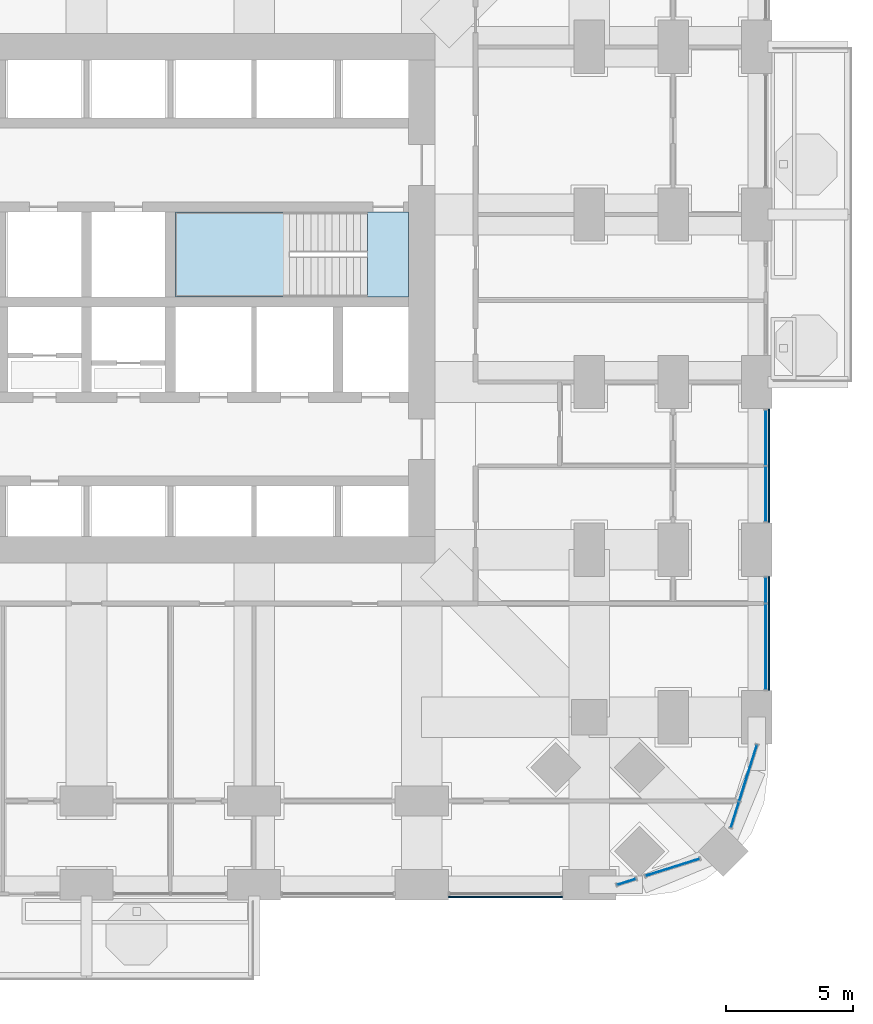
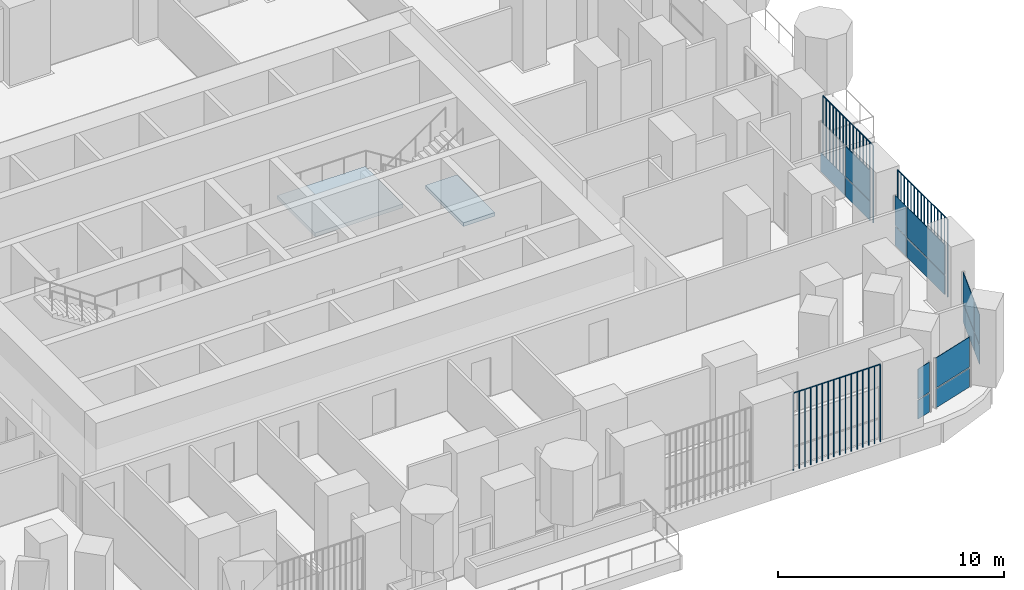
# One storey, part 13 of 26: 18 plates, 2 slabs, 6 elements without a shape of their own.
"""IFC4 building model written with IfcOpenShell, lengths in metres."""

from ifc_helpers import new_model, si_unit, direction, frame, origin, origin_2d, place, context, subcontext, project, spatial, polyline, rectangle, outline, extrude, material, layer, layer_set, type_object, element, aggregate, save


model = new_model("IFC4")

# Units and contexts
model_context = context("Model", 3, precision=1e-05, world=origin(), true_north=direction((0.0, 1.0)))
body_context = subcontext(model_context, "Body", "Model", "MODEL_VIEW")
ifc_project = project(units=[si_unit("LENGTHUNIT", "METRE"), si_unit("AREAUNIT", "SQUARE_METRE"), si_unit("VOLUMEUNIT", "CUBIC_METRE"), si_unit("PLANEANGLEUNIT", "RADIAN"), si_unit("MASSUNIT", "GRAM", prefix="KILO")], contexts=[model_context])

# Site, building, storey
site_placement = place(None, origin())
site = spatial("IfcSite", under=ifc_project, at=site_placement, CompositionType="ELEMENT")
building_placement = place(site_placement, origin())
building = spatial("IfcBuilding", under=site, at=building_placement, Name="Cobogo Forest Laboratory Tower", CompositionType="ELEMENT")
storey_placement = place(building_placement, frame((0.0, 0.0, 59.10009765625)))
storey = spatial("IfcBuildingStorey", under=building, at=storey_placement, Name="L13", CompositionType="ELEMENT", Elevation=59.10009765625)

# Curtain wall, plates
ifc_material_1 = material(Name="Aluminium curtain wall", Category="aluminium")
curtain_wall_type = type_object("IfcCurtainWallType", Name="CW-1 unitised curtain wall, clear glazing, laboratory floors zones A and B", PredefinedType="USERDEFINED", material=ifc_material_1)
curtain_wall_1_placement = place(storey_placement, origin())
curtain_wall_1 = element("IfcCurtainWall", 1, at=curtain_wall_1_placement, inside=storey, type_object=curtain_wall_type, Name="Curtain wall 07 L13", ObjectType="UNITISED CURTAIN WALL", PredefinedType="USERDEFINED")
ifc_material_2 = material(Name="Clear insulated glass", Category="glass")
ifc_layer_1 = layer(ifc_material_2, 0.028076171875)
ifc_layer_set_1 = layer_set([ifc_layer_1], Name="GP-1 clear insulated glass unit 28")
plate_type_1 = type_object("IfcPlateType", Name="GP-1 clear insulated glass unit 28", PredefinedType="CURTAIN_PANEL", material=ifc_layer_set_1)
plate_1_placement = place(storey_placement, frame((47.666015625, 0.113037109375, 0.0), z_axis=(0.0, 0.0, 1.0), x_axis=(0.953581504428, 0.301135043481, 0.0)))
plate_1 = element("IfcPlate", 2, at=plate_1_placement, type_object=plate_type_1, Name="CW-1 panel 1.1", PredefinedType="CURTAIN_PANEL", context=body_context, shape_type="SweptSolid", body=[
    extrude(rectangle(XDim=0.75244140625, YDim=0.028076171875, at=origin_2d()), origin(), (0.0, 0.0, 1.0), 1.02001953125),
])
plate_2_placement = place(storey_placement, frame((47.666015625, 0.113037109375, 1.079833984375), z_axis=(0.0, 0.0, 1.0), x_axis=(0.953581504428, 0.301135043481, 0.0)))
plate_2 = element("IfcPlate", 3, at=plate_2_placement, type_object=plate_type_1, Name="CW-1 panel 1.2", PredefinedType="CURTAIN_PANEL", context=body_context, shape_type="SweptSolid", body=[
    extrude(rectangle(XDim=0.75244140625, YDim=0.028076171875, at=origin_2d()), origin(), (0.0, 0.0, 1.0), 1.6201171875),
])
aggregate(curtain_wall_1, [plate_1, plate_2])

curtain_wall_2_placement = place(storey_placement, origin())
curtain_wall_2 = element("IfcCurtainWall", 4, at=curtain_wall_2_placement, inside=storey, type_object=curtain_wall_type, Name="Curtain wall 08 L13", ObjectType="UNITISED CURTAIN WALL", PredefinedType="USERDEFINED")
plate_3_placement = place(storey_placement, frame((49.482177734375, 0.6865234375, 0.0), z_axis=(0.0, 0.0, 1.0), x_axis=(0.953581409645, 0.301135343623, 0.0)))
plate_3 = element("IfcPlate", 5, at=plate_3_placement, type_object=plate_type_1, Name="CW-1 panel 1.1", PredefinedType="CURTAIN_PANEL", context=body_context, shape_type="SweptSolid", body=[
    extrude(rectangle(XDim=2.203369140625, YDim=0.028076171875, at=origin_2d()), origin(), (0.0, 0.0, 1.0), 1.02001953125),
])
plate_4_placement = place(storey_placement, frame((49.482177734375, 0.6865234375, 1.079833984375), z_axis=(0.0, 0.0, 1.0), x_axis=(0.953581409645, 0.301135343623, 0.0)))
plate_4 = element("IfcPlate", 6, at=plate_4_placement, type_object=plate_type_1, Name="CW-1 panel 1.2", PredefinedType="CURTAIN_PANEL", context=body_context, shape_type="SweptSolid", body=[
    extrude(rectangle(XDim=2.203369140625, YDim=0.028076171875, at=origin_2d()), origin(), (0.0, 0.0, 1.0), 1.6201171875),
])
aggregate(curtain_wall_2, [plate_3, plate_4])

curtain_wall_3_placement = place(storey_placement, origin())
curtain_wall_3 = element("IfcCurtainWall", 7, at=curtain_wall_3_placement, inside=storey, type_object=curtain_wall_type, Name="Curtain wall 09 L13", ObjectType="UNITISED CURTAIN WALL", PredefinedType="USERDEFINED")
plate_5_placement = place(storey_placement, frame((51.9365234375, 2.75732421875, 0.0), z_axis=(0.0, 0.0, 1.0), x_axis=(0.30113535792, 0.95358140513, 0.0)))
plate_5 = element("IfcPlate", 8, at=plate_5_placement, type_object=plate_type_1, Name="CW-1 panel 1.1", PredefinedType="CURTAIN_PANEL", context=body_context, shape_type="SweptSolid", body=[
    extrude(rectangle(XDim=1.027587890625, YDim=0.028076171875, at=origin_2d()), origin(), (0.0, 0.0, 1.0), 1.02001953125),
])
plate_6_placement = place(storey_placement, frame((51.9365234375, 2.75732421875, 1.079833984375), z_axis=(0.0, 0.0, 1.0), x_axis=(0.30113535792, 0.95358140513, 0.0)))
plate_6 = element("IfcPlate", 9, at=plate_6_placement, type_object=plate_type_1, Name="CW-1 panel 1.2", PredefinedType="CURTAIN_PANEL", context=body_context, shape_type="SweptSolid", body=[
    extrude(rectangle(XDim=1.027587890625, YDim=0.028076171875, at=origin_2d()), origin(), (0.0, 0.0, 1.0), 1.6201171875),
])
plate_7_placement = place(storey_placement, frame((52.454833984375, 4.398681640625, 0.0), z_axis=(0.0, 0.0, 1.0), x_axis=(0.30113535792, 0.95358140513, 0.0)))
plate_7 = element("IfcPlate", 10, at=plate_7_placement, type_object=plate_type_1, Name="CW-1 panel 2.1", PredefinedType="CURTAIN_PANEL", context=body_context, shape_type="SweptSolid", body=[
    extrude(rectangle(XDim=2.294677734375, YDim=0.028076171875, at=origin_2d()), origin(), (0.0, 0.0, 1.0), 1.02001953125),
])
plate_8_placement = place(storey_placement, frame((52.454833984375, 4.398681640625, 1.079833984375), z_axis=(0.0, 0.0, 1.0), x_axis=(0.30113535792, 0.95358140513, 0.0)))
plate_8 = element("IfcPlate", 11, at=plate_8_placement, type_object=plate_type_1, Name="CW-1 panel 2.2", PredefinedType="CURTAIN_PANEL", context=body_context, shape_type="SweptSolid", body=[
    extrude(rectangle(XDim=2.294677734375, YDim=0.028076171875, at=origin_2d()), origin(), (0.0, 0.0, 1.0), 1.6201171875),
])
aggregate(curtain_wall_3, [plate_5, plate_6, plate_7, plate_8])

curtain_wall_4_placement = place(storey_placement, origin())
curtain_wall_4 = element("IfcCurtainWall", 12, at=curtain_wall_4_placement, inside=storey, type_object=curtain_wall_type, Name="Curtain wall 10 L13", ObjectType="UNITISED CURTAIN WALL", PredefinedType="USERDEFINED")
plate_9_placement = place(storey_placement, frame((53.14990234375, 9.37744140625, 0.0), z_axis=(0.0, 0.0, 1.0), x_axis=(0.0, 1.0, 0.0)))
plate_9 = element("IfcPlate", 13, at=plate_9_placement, type_object=plate_type_1, Name="CW-1 panel 1.1", PredefinedType="CURTAIN_PANEL", context=body_context, shape_type="SweptSolid", body=[
    extrude(rectangle(XDim=3.3349609375, YDim=0.028076171875, at=origin_2d()), origin(), (0.0, 0.0, 1.0), 1.02001953125),
])
plate_10_placement = place(storey_placement, frame((53.14990234375, 9.37744140625, 1.079833984375), z_axis=(0.0, 0.0, 1.0), x_axis=(0.0, 1.0, 0.0)))
plate_10 = element("IfcPlate", 14, at=plate_10_placement, type_object=plate_type_1, Name="CW-1 panel 1.2", PredefinedType="CURTAIN_PANEL", context=body_context, shape_type="SweptSolid", body=[
    extrude(rectangle(XDim=3.3349609375, YDim=0.028076171875, at=origin_2d()), origin(), (0.0, 0.0, 1.0), 1.6201171875),
])
plate_11_placement = place(storey_placement, frame((53.14990234375, 11.597412109375, 0.0), z_axis=(0.0, 0.0, 1.0), x_axis=(0.0, 1.0, 0.0)))
plate_11 = element("IfcPlate", 15, at=plate_11_placement, type_object=plate_type_1, Name="CW-1 panel 2.1", PredefinedType="CURTAIN_PANEL", context=body_context, shape_type="SweptSolid", body=[
    extrude(rectangle(XDim=0.985107421875, YDim=0.028076171875, at=origin_2d()), origin(), (0.0, 0.0, 1.0), 1.02001953125),
])
plate_12_placement = place(storey_placement, frame((53.14990234375, 11.597412109375, 1.079833984375), z_axis=(0.0, 0.0, 1.0), x_axis=(0.0, 1.0, 0.0)))
plate_12 = element("IfcPlate", 16, at=plate_12_placement, type_object=plate_type_1, Name="CW-1 panel 2.2", PredefinedType="CURTAIN_PANEL", context=body_context, shape_type="SweptSolid", body=[
    extrude(rectangle(XDim=0.985107421875, YDim=0.028076171875, at=origin_2d()), origin(), (0.0, 0.0, 1.0), 1.6201171875),
])
aggregate(curtain_wall_4, [plate_9, plate_10, plate_11, plate_12])

curtain_wall_5_placement = place(storey_placement, origin())
curtain_wall_5 = element("IfcCurtainWall", 17, at=curtain_wall_5_placement, inside=storey, type_object=curtain_wall_type, Name="Curtain wall 11 L13", ObjectType="UNITISED CURTAIN WALL", PredefinedType="USERDEFINED")
plate_13_placement = place(storey_placement, frame((53.14990234375, 15.389892578125, 0.0), z_axis=(0.0, 0.0, 1.0), x_axis=(0.0, 1.0, 0.0)))
plate_13 = element("IfcPlate", 18, at=plate_13_placement, type_object=plate_type_1, Name="CW-1 panel 1.1", PredefinedType="CURTAIN_PANEL", context=body_context, shape_type="SweptSolid", body=[
    extrude(rectangle(XDim=2.159912109375, YDim=0.028076171875, at=origin_2d()), origin(), (0.0, 0.0, 1.0), 1.02001953125),
])
plate_14_placement = place(storey_placement, frame((53.14990234375, 15.389892578125, 1.079833984375), z_axis=(0.0, 0.0, 1.0), x_axis=(0.0, 1.0, 0.0)))
plate_14 = element("IfcPlate", 19, at=plate_14_placement, type_object=plate_type_1, Name="CW-1 panel 1.2", PredefinedType="CURTAIN_PANEL", context=body_context, shape_type="SweptSolid", body=[
    extrude(rectangle(XDim=2.159912109375, YDim=0.028076171875, at=origin_2d()), origin(), (0.0, 0.0, 1.0), 1.6201171875),
])
plate_15_placement = place(storey_placement, frame((53.14990234375, 17.610107421875, 0.0), z_axis=(0.0, 0.0, 1.0), x_axis=(0.0, 1.0, 0.0)))
plate_15 = element("IfcPlate", 20, at=plate_15_placement, type_object=plate_type_1, Name="CW-1 panel 2.1", PredefinedType="CURTAIN_PANEL", context=body_context, shape_type="SweptSolid", body=[
    extrude(rectangle(XDim=2.159912109375, YDim=0.028076171875, at=origin_2d()), origin(), (0.0, 0.0, 1.0), 1.02001953125),
])
aggregate(curtain_wall_5, [plate_13, plate_14, plate_15])

# Stair, slabs
ifc_material_3 = material(Name="Precast concrete HA-40 (C40/50)", Category="concrete")
stair_type = type_object("IfcStairType", Name="ST24 exit stair 24 risers", PredefinedType="HALF_TURN_STAIR", material=ifc_material_3)
stair_placement = place(storey_placement, origin())
stair = element("IfcStair", 21, at=stair_placement, inside=storey, type_object=stair_type, Name="Stair 2 L13 to L14", PredefinedType="HALF_TURN_STAIR")
ifc_material_4 = material(Name="Concrete HA-40 (C40/50)", Category="concrete")
ifc_layer_2 = layer(ifc_material_4, 0.199951171875)
ifc_layer_set_2 = layer_set([ifc_layer_2], Name="SL stair landing 200")
slab_type = type_object("IfcSlabType", Name="SL stair landing 200", PredefinedType="LANDING", material=ifc_layer_set_2)
slab_1_placement = place(storey_placement, frame((0.0, 0.0, -0.2001953125)))
slab_1 = element("IfcSlab", 22, at=slab_1_placement, type_object=slab_type, Name="ST2 landing 1", PredefinedType="LANDING", context=body_context, shape_type="SweptSolid", body=[
    extrude(outline(polyline([(37.472900390625, 23.14990234375), (39.074951171875, 23.14990234375), (39.074951171875, 26.5), (37.472900390625, 26.5), (37.472900390625, 23.14990234375)])), origin(), (0.0, 0.0, 1.0), 0.2001953125),
])
slab_2_placement = place(storey_placement, frame((0.0, 0.0, 1.89990234375)))
slab_2 = element("IfcSlab", 23, at=slab_2_placement, type_object=slab_type, Name="ST2 landing 2", PredefinedType="LANDING", context=body_context, shape_type="SweptSolid", body=[
    extrude(outline(polyline([(29.89990234375, 23.14990234375), (34.39697265625, 23.14990234375), (34.39697265625, 26.5), (29.89990234375, 26.5), (29.89990234375, 23.14990234375)])), origin(), (0.0, 0.0, 1.0), 0.199951171875),
])
aggregate(stair, [slab_1, slab_2])

# Plates
ifc_material_5 = material(Name="Terracotta", Category="masonry")
plate_type_2 = type_object("IfcPlateType", Name="TB1 terracotta baguette screen", PredefinedType="USERDEFINED", material=ifc_material_5)
plate_16_placement = place(storey_placement, frame((40.68115234375, -0.477783203125, -0.150146484375)))
element("IfcPlate", 24, at=plate_16_placement, inside=storey, type_object=plate_type_2, Name="Baguette screen S6 L13", ObjectType="BAGUETTE SCREEN", PredefinedType="USERDEFINED", context=body_context, shape_type="SweptSolid", body=[
    extrude(outline(polyline([(0.02880859375, 0.011962890625), (0.011962890625, 0.02880859375), (-0.011962890625, 0.02880859375), (-0.02880859375, 0.011962890625), (-0.02880859375, -0.011962890625), (-0.011962890625, -0.02880859375), (0.011962890625, -0.02880859375), (0.02880859375, -0.011962890625), (0.02880859375, 0.011962890625)])), frame((0.0, 0.0, 4.168701171875), z_axis=(1.0, 0.0, 0.0), x_axis=(0.0, 1.0, 0.0)), (0.0, 0.0, 1.0), 4.4375),
    extrude(outline(polyline([(0.02880859375, 0.011962890625), (0.011962890625, 0.02880859375), (-0.011962890625, 0.02880859375), (-0.02880859375, 0.011962890625), (-0.02880859375, -0.011962890625), (-0.011962890625, -0.02880859375), (0.011962890625, -0.02880859375), (0.02880859375, -0.011962890625), (0.02880859375, 0.011962890625)])), origin(), (0.0, 0.0, 1.0), 4.137451171875),
    extrude(outline(polyline([(0.02880859375, 0.011962890625), (0.011962890625, 0.02880859375), (-0.011962890625, 0.02880859375), (-0.02880859375, 0.011962890625), (-0.02880859375, -0.011962890625), (-0.011962890625, -0.02880859375), (0.011962890625, -0.02880859375), (0.02880859375, -0.011962890625), (0.02880859375, 0.011962890625)])), frame((0.2958984375, 0.0, 0.0)), (0.0, 0.0, 1.0), 4.137451171875),
    extrude(outline(polyline([(0.02880859375, 0.011962890625), (0.011962890625, 0.02880859375), (-0.011962890625, 0.02880859375), (-0.02880859375, 0.011962890625), (-0.02880859375, -0.011962890625), (-0.011962890625, -0.02880859375), (0.011962890625, -0.02880859375), (0.02880859375, -0.011962890625), (0.02880859375, 0.011962890625)])), frame((0.591552734375, 0.0, 0.0)), (0.0, 0.0, 1.0), 4.137451171875),
    extrude(outline(polyline([(0.02880859375, 0.011962890625), (0.011962890625, 0.02880859375), (-0.011962890625, 0.02880859375), (-0.02880859375, 0.011962890625), (-0.02880859375, -0.011962890625), (-0.011962890625, -0.02880859375), (0.011962890625, -0.02880859375), (0.02880859375, -0.011962890625), (0.02880859375, 0.011962890625)])), frame((0.887451171875, 0.0, 0.0)), (0.0, 0.0, 1.0), 4.137451171875),
    extrude(outline(polyline([(0.02880859375, 0.011962890625), (0.011962890625, 0.02880859375), (-0.011962890625, 0.02880859375), (-0.02880859375, 0.011962890625), (-0.02880859375, -0.011962890625), (-0.011962890625, -0.02880859375), (0.011962890625, -0.02880859375), (0.02880859375, -0.011962890625), (0.02880859375, 0.011962890625)])), frame((1.183349609375, 0.0, 0.0)), (0.0, 0.0, 1.0), 4.137451171875),
    extrude(outline(polyline([(0.02880859375, 0.011962890625), (0.011962890625, 0.02880859375), (-0.011962890625, 0.02880859375), (-0.02880859375, 0.011962890625), (-0.02880859375, -0.011962890625), (-0.011962890625, -0.02880859375), (0.011962890625, -0.02880859375), (0.02880859375, -0.011962890625), (0.02880859375, 0.011962890625)])), frame((1.479248046875, 0.0, 0.0)), (0.0, 0.0, 1.0), 4.137451171875),
    extrude(outline(polyline([(0.02880859375, 0.011962890625), (0.011962890625, 0.02880859375), (-0.011962890625, 0.02880859375), (-0.02880859375, 0.011962890625), (-0.02880859375, -0.011962890625), (-0.011962890625, -0.02880859375), (0.011962890625, -0.02880859375), (0.02880859375, -0.011962890625), (0.02880859375, 0.011962890625)])), frame((1.77490234375, 0.0, 0.0)), (0.0, 0.0, 1.0), 4.137451171875),
    extrude(outline(polyline([(0.02880859375, 0.011962890625), (0.011962890625, 0.02880859375), (-0.011962890625, 0.02880859375), (-0.02880859375, 0.011962890625), (-0.02880859375, -0.011962890625), (-0.011962890625, -0.02880859375), (0.011962890625, -0.02880859375), (0.02880859375, -0.011962890625), (0.02880859375, 0.011962890625)])), frame((2.07080078125, 0.0, 0.0)), (0.0, 0.0, 1.0), 4.137451171875),
    extrude(outline(polyline([(0.02880859375, 0.011962890625), (0.011962890625, 0.02880859375), (-0.011962890625, 0.02880859375), (-0.02880859375, 0.011962890625), (-0.02880859375, -0.011962890625), (-0.011962890625, -0.02880859375), (0.011962890625, -0.02880859375), (0.02880859375, -0.011962890625), (0.02880859375, 0.011962890625)])), frame((2.36669921875, 0.0, 0.0)), (0.0, 0.0, 1.0), 4.137451171875),
    extrude(outline(polyline([(0.02880859375, 0.011962890625), (0.011962890625, 0.02880859375), (-0.011962890625, 0.02880859375), (-0.02880859375, 0.011962890625), (-0.02880859375, -0.011962890625), (-0.011962890625, -0.02880859375), (0.011962890625, -0.02880859375), (0.02880859375, -0.011962890625), (0.02880859375, 0.011962890625)])), frame((2.66259765625, 0.0, 0.0)), (0.0, 0.0, 1.0), 4.137451171875),
    extrude(outline(polyline([(0.02880859375, 0.011962890625), (0.011962890625, 0.02880859375), (-0.011962890625, 0.02880859375), (-0.02880859375, 0.011962890625), (-0.02880859375, -0.011962890625), (-0.011962890625, -0.02880859375), (0.011962890625, -0.02880859375), (0.02880859375, -0.011962890625), (0.02880859375, 0.011962890625)])), frame((2.958251953125, 0.0, 0.0)), (0.0, 0.0, 1.0), 4.137451171875),
    extrude(outline(polyline([(0.02880859375, 0.011962890625), (0.011962890625, 0.02880859375), (-0.011962890625, 0.02880859375), (-0.02880859375, 0.011962890625), (-0.02880859375, -0.011962890625), (-0.011962890625, -0.02880859375), (0.011962890625, -0.02880859375), (0.02880859375, -0.011962890625), (0.02880859375, 0.011962890625)])), frame((3.254150390625, 0.0, 0.0)), (0.0, 0.0, 1.0), 4.137451171875),
    extrude(outline(polyline([(0.02880859375, 0.011962890625), (0.011962890625, 0.02880859375), (-0.011962890625, 0.02880859375), (-0.02880859375, 0.011962890625), (-0.02880859375, -0.011962890625), (-0.011962890625, -0.02880859375), (0.011962890625, -0.02880859375), (0.02880859375, -0.011962890625), (0.02880859375, 0.011962890625)])), frame((3.550048828125, 0.0, 0.0)), (0.0, 0.0, 1.0), 4.137451171875),
    extrude(outline(polyline([(0.02880859375, 0.011962890625), (0.011962890625, 0.02880859375), (-0.011962890625, 0.02880859375), (-0.02880859375, 0.011962890625), (-0.02880859375, -0.011962890625), (-0.011962890625, -0.02880859375), (0.011962890625, -0.02880859375), (0.02880859375, -0.011962890625), (0.02880859375, 0.011962890625)])), frame((3.845947265625, 0.0, 0.0)), (0.0, 0.0, 1.0), 4.137451171875),
    extrude(outline(polyline([(0.02880859375, 0.011962890625), (0.011962890625, 0.02880859375), (-0.011962890625, 0.02880859375), (-0.02880859375, 0.011962890625), (-0.02880859375, -0.011962890625), (-0.011962890625, -0.02880859375), (0.011962890625, -0.02880859375), (0.02880859375, -0.011962890625), (0.02880859375, 0.011962890625)])), frame((4.1416015625, 0.0, 0.0)), (0.0, 0.0, 1.0), 4.137451171875),
    extrude(outline(polyline([(0.02880859375, 0.011962890625), (0.011962890625, 0.02880859375), (-0.011962890625, 0.02880859375), (-0.02880859375, 0.011962890625), (-0.02880859375, -0.011962890625), (-0.011962890625, -0.02880859375), (0.011962890625, -0.02880859375), (0.02880859375, -0.011962890625), (0.02880859375, 0.011962890625)])), frame((4.4375, 0.0, 0.0)), (0.0, 0.0, 1.0), 4.137451171875),
])
plate_17_placement = place(storey_placement, frame((53.27783203125, 7.68115234375, -0.150146484375)))
element("IfcPlate", 25, at=plate_17_placement, inside=storey, type_object=plate_type_2, Name="Baguette screen E1 L13", ObjectType="BAGUETTE SCREEN", PredefinedType="USERDEFINED", context=body_context, shape_type="SweptSolid", body=[
    extrude(outline(polyline([(0.02880859375, 0.011962890625), (0.011962890625, 0.02880859375), (-0.011962890625, 0.02880859375), (-0.02880859375, 0.011962890625), (-0.02880859375, -0.011962890625), (-0.011962890625, -0.02880859375), (0.011962890625, -0.02880859375), (0.02880859375, -0.011962890625), (0.02880859375, 0.011962890625)])), frame((0.0, 0.0, 4.168701171875), z_axis=(0.0, 1.0, 0.0), x_axis=(-1.0, 0.0, 0.0)), (0.0, 0.0, 1.0), 4.4375),
    extrude(outline(polyline([(0.02880859375, 0.011962890625), (0.011962890625, 0.02880859375), (-0.011962890625, 0.02880859375), (-0.02880859375, 0.011962890625), (-0.02880859375, -0.011962890625), (-0.011962890625, -0.02880859375), (0.011962890625, -0.02880859375), (0.02880859375, -0.011962890625), (0.02880859375, 0.011962890625)])), origin(), (0.0, 0.0, 1.0), 4.137451171875),
    extrude(outline(polyline([(0.02880859375, 0.011962890625), (0.011962890625, 0.02880859375), (-0.011962890625, 0.02880859375), (-0.02880859375, 0.011962890625), (-0.02880859375, -0.011962890625), (-0.011962890625, -0.02880859375), (0.011962890625, -0.02880859375), (0.02880859375, -0.011962890625), (0.02880859375, 0.011962890625)])), frame((0.0, 0.2958984375, 0.0)), (0.0, 0.0, 1.0), 4.137451171875),
    extrude(outline(polyline([(0.02880859375, 0.011962890625), (0.011962890625, 0.02880859375), (-0.011962890625, 0.02880859375), (-0.02880859375, 0.011962890625), (-0.02880859375, -0.011962890625), (-0.011962890625, -0.02880859375), (0.011962890625, -0.02880859375), (0.02880859375, -0.011962890625), (0.02880859375, 0.011962890625)])), frame((0.0, 0.591552734375, 0.0)), (0.0, 0.0, 1.0), 4.137451171875),
    extrude(outline(polyline([(0.02880859375, 0.011962890625), (0.011962890625, 0.02880859375), (-0.011962890625, 0.02880859375), (-0.02880859375, 0.011962890625), (-0.02880859375, -0.011962890625), (-0.011962890625, -0.02880859375), (0.011962890625, -0.02880859375), (0.02880859375, -0.011962890625), (0.02880859375, 0.011962890625)])), frame((0.0, 0.887451171875, 0.0)), (0.0, 0.0, 1.0), 4.137451171875),
    extrude(outline(polyline([(0.02880859375, 0.011962890625), (0.011962890625, 0.02880859375), (-0.011962890625, 0.02880859375), (-0.02880859375, 0.011962890625), (-0.02880859375, -0.011962890625), (-0.011962890625, -0.02880859375), (0.011962890625, -0.02880859375), (0.02880859375, -0.011962890625), (0.02880859375, 0.011962890625)])), frame((0.0, 1.183349609375, 0.0)), (0.0, 0.0, 1.0), 4.137451171875),
    extrude(outline(polyline([(0.02880859375, 0.011962890625), (0.011962890625, 0.02880859375), (-0.011962890625, 0.02880859375), (-0.02880859375, 0.011962890625), (-0.02880859375, -0.011962890625), (-0.011962890625, -0.02880859375), (0.011962890625, -0.02880859375), (0.02880859375, -0.011962890625), (0.02880859375, 0.011962890625)])), frame((0.0, 1.479248046875, 0.0)), (0.0, 0.0, 1.0), 4.137451171875),
    extrude(outline(polyline([(0.02880859375, 0.011962890625), (0.011962890625, 0.02880859375), (-0.011962890625, 0.02880859375), (-0.02880859375, 0.011962890625), (-0.02880859375, -0.011962890625), (-0.011962890625, -0.02880859375), (0.011962890625, -0.02880859375), (0.02880859375, -0.011962890625), (0.02880859375, 0.011962890625)])), frame((0.0, 1.77490234375, 0.0)), (0.0, 0.0, 1.0), 4.137451171875),
    extrude(outline(polyline([(0.02880859375, 0.011962890625), (0.011962890625, 0.02880859375), (-0.011962890625, 0.02880859375), (-0.02880859375, 0.011962890625), (-0.02880859375, -0.011962890625), (-0.011962890625, -0.02880859375), (0.011962890625, -0.02880859375), (0.02880859375, -0.011962890625), (0.02880859375, 0.011962890625)])), frame((0.0, 2.07080078125, 0.0)), (0.0, 0.0, 1.0), 4.137451171875),
    extrude(outline(polyline([(0.02880859375, 0.011962890625), (0.011962890625, 0.02880859375), (-0.011962890625, 0.02880859375), (-0.02880859375, 0.011962890625), (-0.02880859375, -0.011962890625), (-0.011962890625, -0.02880859375), (0.011962890625, -0.02880859375), (0.02880859375, -0.011962890625), (0.02880859375, 0.011962890625)])), frame((0.0, 2.36669921875, 0.0)), (0.0, 0.0, 1.0), 4.137451171875),
    extrude(outline(polyline([(0.02880859375, 0.011962890625), (0.011962890625, 0.02880859375), (-0.011962890625, 0.02880859375), (-0.02880859375, 0.011962890625), (-0.02880859375, -0.011962890625), (-0.011962890625, -0.02880859375), (0.011962890625, -0.02880859375), (0.02880859375, -0.011962890625), (0.02880859375, 0.011962890625)])), frame((0.0, 2.66259765625, 0.0)), (0.0, 0.0, 1.0), 4.137451171875),
    extrude(outline(polyline([(0.02880859375, 0.011962890625), (0.011962890625, 0.02880859375), (-0.011962890625, 0.02880859375), (-0.02880859375, 0.011962890625), (-0.02880859375, -0.011962890625), (-0.011962890625, -0.02880859375), (0.011962890625, -0.02880859375), (0.02880859375, -0.011962890625), (0.02880859375, 0.011962890625)])), frame((0.0, 2.958251953125, 0.0)), (0.0, 0.0, 1.0), 4.137451171875),
    extrude(outline(polyline([(0.02880859375, 0.011962890625), (0.011962890625, 0.02880859375), (-0.011962890625, 0.02880859375), (-0.02880859375, 0.011962890625), (-0.02880859375, -0.011962890625), (-0.011962890625, -0.02880859375), (0.011962890625, -0.02880859375), (0.02880859375, -0.011962890625), (0.02880859375, 0.011962890625)])), frame((0.0, 3.254150390625, 0.0)), (0.0, 0.0, 1.0), 4.137451171875),
    extrude(outline(polyline([(0.02880859375, 0.011962890625), (0.011962890625, 0.02880859375), (-0.011962890625, 0.02880859375), (-0.02880859375, 0.011962890625), (-0.02880859375, -0.011962890625), (-0.011962890625, -0.02880859375), (0.011962890625, -0.02880859375), (0.02880859375, -0.011962890625), (0.02880859375, 0.011962890625)])), frame((0.0, 3.550048828125, 0.0)), (0.0, 0.0, 1.0), 4.137451171875),
    extrude(outline(polyline([(0.02880859375, 0.011962890625), (0.011962890625, 0.02880859375), (-0.011962890625, 0.02880859375), (-0.02880859375, 0.011962890625), (-0.02880859375, -0.011962890625), (-0.011962890625, -0.02880859375), (0.011962890625, -0.02880859375), (0.02880859375, -0.011962890625), (0.02880859375, 0.011962890625)])), frame((0.0, 3.845947265625, 0.0)), (0.0, 0.0, 1.0), 4.137451171875),
    extrude(outline(polyline([(0.02880859375, 0.011962890625), (0.011962890625, 0.02880859375), (-0.011962890625, 0.02880859375), (-0.02880859375, 0.011962890625), (-0.02880859375, -0.011962890625), (-0.011962890625, -0.02880859375), (0.011962890625, -0.02880859375), (0.02880859375, -0.011962890625), (0.02880859375, 0.011962890625)])), frame((0.0, 4.1416015625, 0.0)), (0.0, 0.0, 1.0), 4.137451171875),
    extrude(outline(polyline([(0.02880859375, 0.011962890625), (0.011962890625, 0.02880859375), (-0.011962890625, 0.02880859375), (-0.02880859375, 0.011962890625), (-0.02880859375, -0.011962890625), (-0.011962890625, -0.02880859375), (0.011962890625, -0.02880859375), (0.02880859375, -0.011962890625), (0.02880859375, 0.011962890625)])), frame((0.0, 4.4375, 0.0)), (0.0, 0.0, 1.0), 4.137451171875),
])
plate_18_placement = place(storey_placement, frame((53.27783203125, 14.28125, -0.150146484375)))
element("IfcPlate", 26, at=plate_18_placement, inside=storey, type_object=plate_type_2, Name="Baguette screen E2 L13", ObjectType="BAGUETTE SCREEN", PredefinedType="USERDEFINED", context=body_context, shape_type="SweptSolid", body=[
    extrude(outline(polyline([(0.02880859375, 0.011962890625), (0.011962890625, 0.02880859375), (-0.011962890625, 0.02880859375), (-0.02880859375, 0.011962890625), (-0.02880859375, -0.011962890625), (-0.011962890625, -0.02880859375), (0.011962890625, -0.02880859375), (0.02880859375, -0.011962890625), (0.02880859375, 0.011962890625)])), frame((0.0, 0.0, 4.168701171875), z_axis=(0.0, 1.0, 0.0), x_axis=(-1.0, 0.0, 0.0)), (0.0, 0.0, 1.0), 4.4375),
    extrude(outline(polyline([(0.02880859375, 0.011962890625), (0.011962890625, 0.02880859375), (-0.011962890625, 0.02880859375), (-0.02880859375, 0.011962890625), (-0.02880859375, -0.011962890625), (-0.011962890625, -0.02880859375), (0.011962890625, -0.02880859375), (0.02880859375, -0.011962890625), (0.02880859375, 0.011962890625)])), origin(), (0.0, 0.0, 1.0), 4.137451171875),
    extrude(outline(polyline([(0.02880859375, 0.011962890625), (0.011962890625, 0.02880859375), (-0.011962890625, 0.02880859375), (-0.02880859375, 0.011962890625), (-0.02880859375, -0.011962890625), (-0.011962890625, -0.02880859375), (0.011962890625, -0.02880859375), (0.02880859375, -0.011962890625), (0.02880859375, 0.011962890625)])), frame((0.0, 0.2958984375, 0.0)), (0.0, 0.0, 1.0), 4.137451171875),
    extrude(outline(polyline([(0.02880859375, 0.011962890625), (0.011962890625, 0.02880859375), (-0.011962890625, 0.02880859375), (-0.02880859375, 0.011962890625), (-0.02880859375, -0.011962890625), (-0.011962890625, -0.02880859375), (0.011962890625, -0.02880859375), (0.02880859375, -0.011962890625), (0.02880859375, 0.011962890625)])), frame((0.0, 0.591552734375, 0.0)), (0.0, 0.0, 1.0), 4.137451171875),
    extrude(outline(polyline([(0.02880859375, 0.011962890625), (0.011962890625, 0.02880859375), (-0.011962890625, 0.02880859375), (-0.02880859375, 0.011962890625), (-0.02880859375, -0.011962890625), (-0.011962890625, -0.02880859375), (0.011962890625, -0.02880859375), (0.02880859375, -0.011962890625), (0.02880859375, 0.011962890625)])), frame((0.0, 0.887451171875, 0.0)), (0.0, 0.0, 1.0), 4.137451171875),
    extrude(outline(polyline([(0.02880859375, 0.011962890625), (0.011962890625, 0.02880859375), (-0.011962890625, 0.02880859375), (-0.02880859375, 0.011962890625), (-0.02880859375, -0.011962890625), (-0.011962890625, -0.02880859375), (0.011962890625, -0.02880859375), (0.02880859375, -0.011962890625), (0.02880859375, 0.011962890625)])), frame((0.0, 1.183349609375, 0.0)), (0.0, 0.0, 1.0), 4.137451171875),
    extrude(outline(polyline([(0.02880859375, 0.011962890625), (0.011962890625, 0.02880859375), (-0.011962890625, 0.02880859375), (-0.02880859375, 0.011962890625), (-0.02880859375, -0.011962890625), (-0.011962890625, -0.02880859375), (0.011962890625, -0.02880859375), (0.02880859375, -0.011962890625), (0.02880859375, 0.011962890625)])), frame((0.0, 1.479248046875, 0.0)), (0.0, 0.0, 1.0), 4.137451171875),
    extrude(outline(polyline([(0.02880859375, 0.011962890625), (0.011962890625, 0.02880859375), (-0.011962890625, 0.02880859375), (-0.02880859375, 0.011962890625), (-0.02880859375, -0.011962890625), (-0.011962890625, -0.02880859375), (0.011962890625, -0.02880859375), (0.02880859375, -0.011962890625), (0.02880859375, 0.011962890625)])), frame((0.0, 1.77490234375, 0.0)), (0.0, 0.0, 1.0), 4.137451171875),
    extrude(outline(polyline([(0.02880859375, 0.011962890625), (0.011962890625, 0.02880859375), (-0.011962890625, 0.02880859375), (-0.02880859375, 0.011962890625), (-0.02880859375, -0.011962890625), (-0.011962890625, -0.02880859375), (0.011962890625, -0.02880859375), (0.02880859375, -0.011962890625), (0.02880859375, 0.011962890625)])), frame((0.0, 2.07080078125, 0.0)), (0.0, 0.0, 1.0), 4.137451171875),
    extrude(outline(polyline([(0.02880859375, 0.011962890625), (0.011962890625, 0.02880859375), (-0.011962890625, 0.02880859375), (-0.02880859375, 0.011962890625), (-0.02880859375, -0.011962890625), (-0.011962890625, -0.02880859375), (0.011962890625, -0.02880859375), (0.02880859375, -0.011962890625), (0.02880859375, 0.011962890625)])), frame((0.0, 2.36669921875, 0.0)), (0.0, 0.0, 1.0), 4.137451171875),
    extrude(outline(polyline([(0.02880859375, 0.011962890625), (0.011962890625, 0.02880859375), (-0.011962890625, 0.02880859375), (-0.02880859375, 0.011962890625), (-0.02880859375, -0.011962890625), (-0.011962890625, -0.02880859375), (0.011962890625, -0.02880859375), (0.02880859375, -0.011962890625), (0.02880859375, 0.011962890625)])), frame((0.0, 2.66259765625, 0.0)), (0.0, 0.0, 1.0), 4.137451171875),
    extrude(outline(polyline([(0.02880859375, 0.011962890625), (0.011962890625, 0.02880859375), (-0.011962890625, 0.02880859375), (-0.02880859375, 0.011962890625), (-0.02880859375, -0.011962890625), (-0.011962890625, -0.02880859375), (0.011962890625, -0.02880859375), (0.02880859375, -0.011962890625), (0.02880859375, 0.011962890625)])), frame((0.0, 2.958251953125, 0.0)), (0.0, 0.0, 1.0), 4.137451171875),
    extrude(outline(polyline([(0.02880859375, 0.011962890625), (0.011962890625, 0.02880859375), (-0.011962890625, 0.02880859375), (-0.02880859375, 0.011962890625), (-0.02880859375, -0.011962890625), (-0.011962890625, -0.02880859375), (0.011962890625, -0.02880859375), (0.02880859375, -0.011962890625), (0.02880859375, 0.011962890625)])), frame((0.0, 3.254150390625, 0.0)), (0.0, 0.0, 1.0), 4.137451171875),
    extrude(outline(polyline([(0.02880859375, 0.011962890625), (0.011962890625, 0.02880859375), (-0.011962890625, 0.02880859375), (-0.02880859375, 0.011962890625), (-0.02880859375, -0.011962890625), (-0.011962890625, -0.02880859375), (0.011962890625, -0.02880859375), (0.02880859375, -0.011962890625), (0.02880859375, 0.011962890625)])), frame((0.0, 3.550048828125, 0.0)), (0.0, 0.0, 1.0), 4.137451171875),
    extrude(outline(polyline([(0.02880859375, 0.011962890625), (0.011962890625, 0.02880859375), (-0.011962890625, 0.02880859375), (-0.02880859375, 0.011962890625), (-0.02880859375, -0.011962890625), (-0.011962890625, -0.02880859375), (0.011962890625, -0.02880859375), (0.02880859375, -0.011962890625), (0.02880859375, 0.011962890625)])), frame((0.0, 3.845947265625, 0.0)), (0.0, 0.0, 1.0), 4.137451171875),
    extrude(outline(polyline([(0.02880859375, 0.011962890625), (0.011962890625, 0.02880859375), (-0.011962890625, 0.02880859375), (-0.02880859375, 0.011962890625), (-0.02880859375, -0.011962890625), (-0.011962890625, -0.02880859375), (0.011962890625, -0.02880859375), (0.02880859375, -0.011962890625), (0.02880859375, 0.011962890625)])), frame((0.0, 4.1416015625, 0.0)), (0.0, 0.0, 1.0), 4.137451171875),
    extrude(outline(polyline([(0.02880859375, 0.011962890625), (0.011962890625, 0.02880859375), (-0.011962890625, 0.02880859375), (-0.02880859375, 0.011962890625), (-0.02880859375, -0.011962890625), (-0.011962890625, -0.02880859375), (0.011962890625, -0.02880859375), (0.02880859375, -0.011962890625), (0.02880859375, 0.011962890625)])), frame((0.0, 4.4375, 0.0)), (0.0, 0.0, 1.0), 4.137451171875),
])

save(model, "model.ifc")
